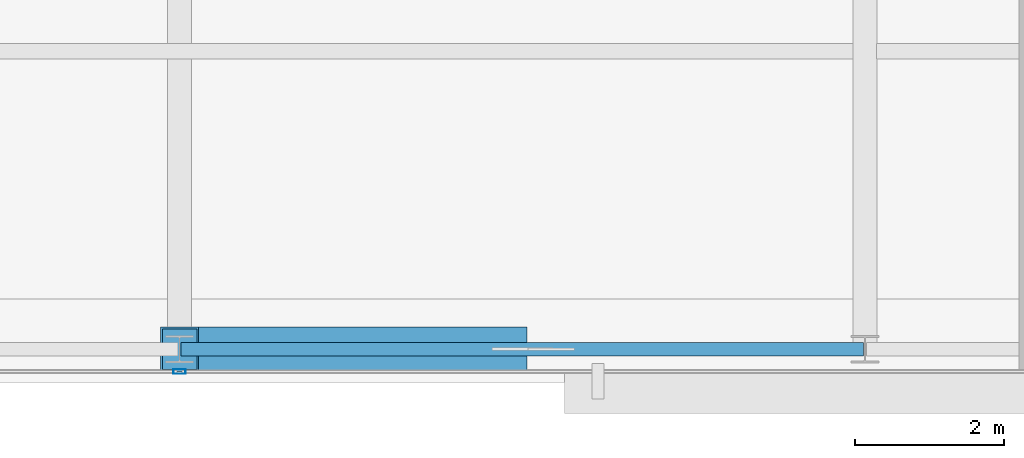
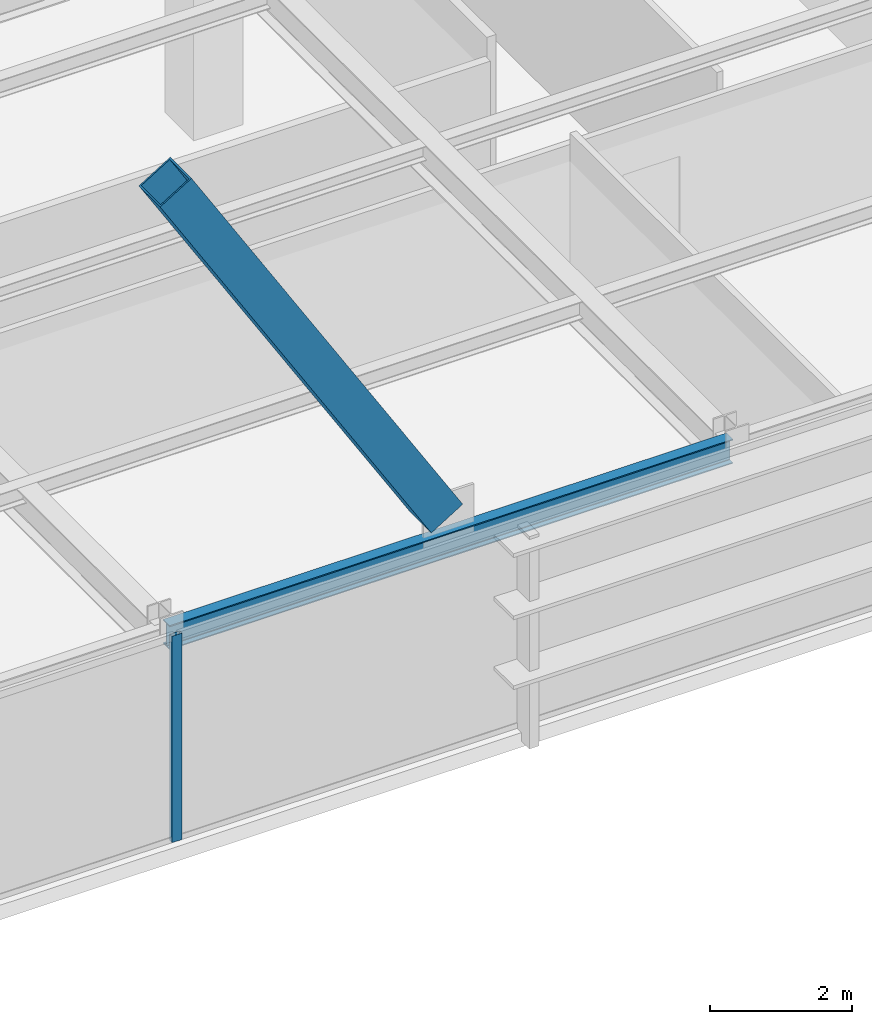
# One storey, part 9 of 30: 2 members, 1 beam, 1 element without a shape of its own.
"""IFC4 building model written with IfcOpenShell, lengths in metres."""

from ifc_helpers import new_model, si_unit, direction, frame, origin, origin_2d, place, context, subcontext, project, spatial, hollow_rectangle, i_section, extrude, source, transform, mapped, material, layer, layer_set, material_profile, profile_set, type_object, type_shapes, element, aggregate, save


model = new_model("IFC4")

# Units and contexts
model_context = context("Model", 3, precision=1e-05, world=origin(), true_north=direction((0.0, 1.0)))
body_context = subcontext(model_context, "Body", "Model", "MODEL_VIEW")
ifc_project = project(units=[si_unit("LENGTHUNIT", "METRE"), si_unit("AREAUNIT", "SQUARE_METRE"), si_unit("VOLUMEUNIT", "CUBIC_METRE"), si_unit("PLANEANGLEUNIT", "RADIAN"), si_unit("MASSUNIT", "GRAM", prefix="KILO")], contexts=[model_context])

# Site, building, storey
site_placement = place(None, origin())
site = spatial("IfcSite", under=ifc_project, at=site_placement, CompositionType="ELEMENT")
building_placement = place(site_placement, origin())
building = spatial("IfcBuilding", under=site, at=building_placement, Name="Varnel Quay Broadcast Tower", CompositionType="ELEMENT")
storey_placement = place(building_placement, frame((0.0, 0.0, 149.60009765625)))
storey = spatial("IfcBuildingStorey", under=building, at=storey_placement, Name="L36", CompositionType="ELEMENT", Elevation=149.60009765625)

# Beam
ifc_material_1 = material(Name="Structural Steel CSA G40.21 350W", Category="steel")
ifc_material_profile_1 = material_profile(ifc_material_1, i_section(OverallWidth=0.180908203125, OverallDepth=0.4169921875, WebThickness=0.010986328125, FlangeThickness=0.018310546875, FilletRadius=0.011962890625, at=origin_2d()), Name="W410X85")
ifc_profile_set_1 = profile_set([ifc_material_profile_1], Name="Structural Steel CSA G40.21 350W")
beam_type = type_object("IfcBeamType", Name="Beam_W410X85", PredefinedType="SPANDREL", material=ifc_profile_set_1)
shared_shape_1 = source(origin(), body_context, "Body", "SweptSolid", [
    extrude(i_section(OverallWidth=0.180908203125, OverallDepth=0.4169921875, WebThickness=0.010986328125, FlangeThickness=0.018310546875, FilletRadius=0.011962890625, at=origin_2d()), origin(), (0.0, 0.0, 1.0), 9.159912109375),
])
type_shapes(beam_type, [shared_shape_1])
beam_placement = place(storey_placement, frame((34.02001953125, 7.64990234375, 3.34130859375), z_axis=(1.0, 0.0, 0.0), x_axis=(0.0, 1.0, 0.0)))
element("IfcBeam", 1, at=beam_placement, inside=storey, type_object=beam_type, Name="L36 South Spandrel TC-S3-TC-S4", PredefinedType="SPANDREL", context=body_context, shape_type="MappedRepresentation", body=[
    mapped(shared_shape_1, transform((0.0, 0.0, 0.0), x_axis=(1.0, 0.0, 0.0), y_axis=(0.0, 1.0, 0.0), z_axis=(0.0, 0.0, 1.0), scale=1.0)),
])

# Member
ifc_material_2 = material(Name="Structural Steel CSA G40.21 350WT", Category="steel")
ifc_material_profile_2 = material_profile(ifc_material_2, hollow_rectangle(XDim=0.60009765625, YDim=0.60009765625, WallThickness=0.028076171875, at=origin_2d()), Name="BOX600X600X28")
ifc_profile_set_2 = profile_set([ifc_material_profile_2], Name="Structural Steel CSA G40.21 350WT")
member_type_1 = type_object("IfcMemberType", Name="Brace_BOX600X600X28", PredefinedType="BRACE", material=ifc_profile_set_2)
shared_shape_2 = source(origin(), body_context, "Body", "SweptSolid", [
    extrude(hollow_rectangle(XDim=0.60009765625, YDim=0.60009765625, WallThickness=0.028076171875, at=origin_2d()), origin(), (0.0, 0.0, 1.0), 8.399169921875),
])
type_shapes(member_type_1, [shared_shape_2])
member_1_placement = place(storey_placement, frame((38.41064453125, 7.64990234375, 3.98193359375), z_axis=(-0.525125243666, 0.0, 0.851024957604), x_axis=(0.0, -1.0, 0.0)))
element("IfcMember", 2, at=member_1_placement, inside=storey, type_object=member_type_1, Name="Zone 3 Mega-Brace S-C2T1 Split Diag B2", PredefinedType="BRACE", context=body_context, shape_type="MappedRepresentation", body=[
    mapped(shared_shape_2, transform((0.0, 0.0, 0.0), x_axis=(1.0, 0.0, 0.0), y_axis=(0.0, 1.0, 0.0), z_axis=(0.0, 0.0, 1.0), scale=1.0)),
])

# Curtain wall, member
ifc_material_3 = material(Name="Anodised Bronze Aluminium 6063-T6", Category="aluminium")
ifc_layer = layer(ifc_material_3, 0.18994140625, Name="Anodised Bronze Aluminium 6063-T6")
ifc_layer_set = layer_set([ifc_layer], Name="Anodised Bronze Aluminium 6063-T6")
curtain_wall_type = type_object("IfcCurtainWallType", Name="CW_UpperTower", PredefinedType="NOTDEFINED", material=ifc_layer_set)
curtain_wall_placement = place(storey_placement, origin())
curtain_wall = element("IfcCurtainWall", 3, at=curtain_wall_placement, inside=storey, type_object=curtain_wall_type, Name="L36 South Unitised Curtain Wall 1", PredefinedType="NOTDEFINED")
ifc_material_profile_3 = material_profile(ifc_material_3, hollow_rectangle(XDim=0.06494140625, YDim=0.1650390625, WallThickness=0.00341796875, at=origin_2d()), Name="ALU65X165X3.5")
ifc_profile_set_3 = profile_set([ifc_material_profile_3], Name="Anodised Bronze Aluminium 6063-T6")
member_type_2 = type_object("IfcMemberType", Name="Mull_CWS-03", PredefinedType="MULLION", material=ifc_profile_set_3)
shared_shape_3 = source(origin(), body_context, "Body", "SweptSolid", [
    extrude(hollow_rectangle(XDim=0.06494140625, YDim=0.1650390625, WallThickness=0.00341796875, at=origin_2d()), origin(), (0.0, 0.0, 1.0), 3.5498046875),
])
type_shapes(member_type_2, [shared_shape_3])
member_2_placement = place(storey_placement, frame((34.0, 7.35009765625, 0.0), z_axis=(0.0, 0.0, 1.0), x_axis=(0.0, 1.0, 0.0)))
member_2 = element("IfcMember", 4, at=member_2_placement, type_object=member_type_2, Name="CWS-03 mullion 3", PredefinedType="MULLION", context=body_context, shape_type="MappedRepresentation", body=[
    mapped(shared_shape_3, transform((0.0, 0.0, 0.0), x_axis=(1.0, 0.0, 0.0), y_axis=(0.0, 1.0, 0.0), z_axis=(0.0, 0.0, 1.0), scale=1.0)),
])
aggregate(curtain_wall, [member_2])

save(model, "model.ifc")
